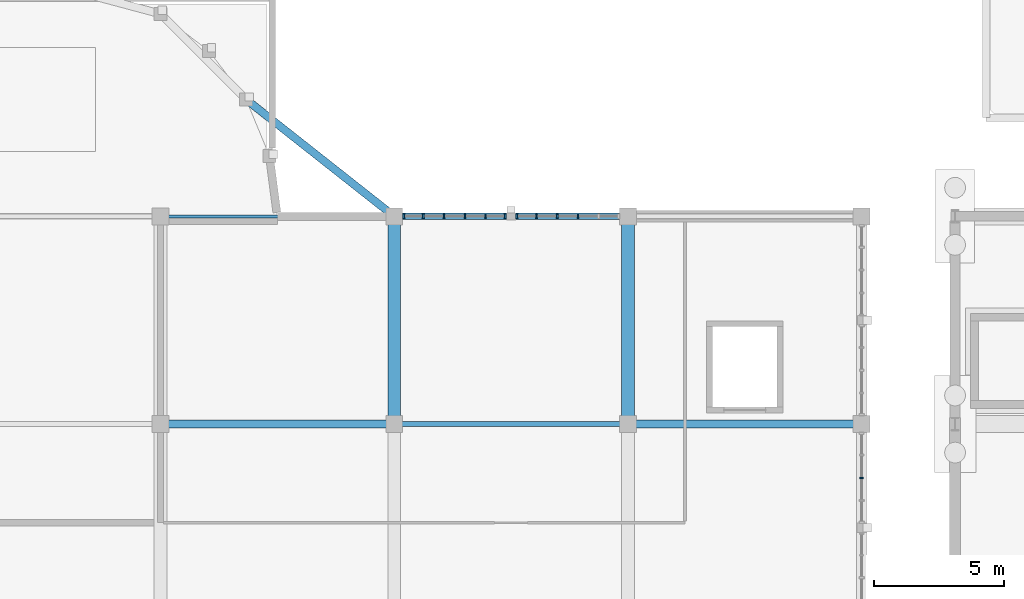
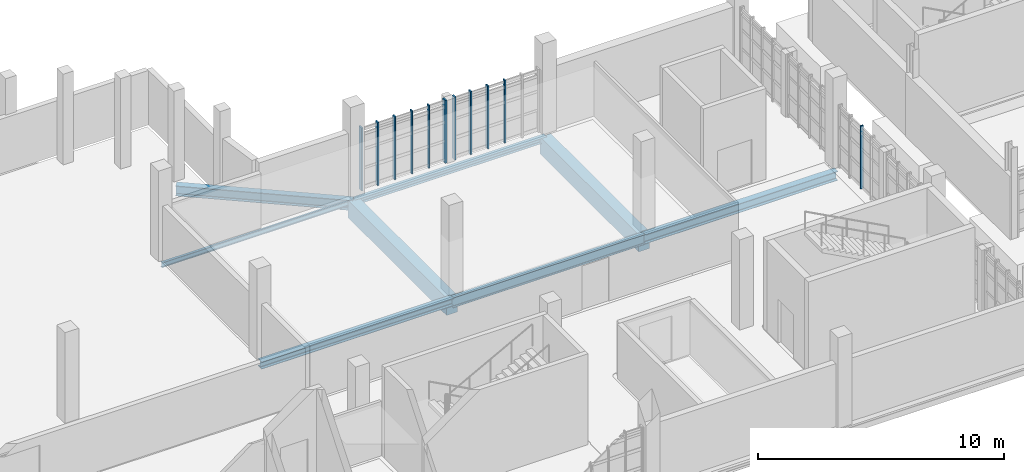
# One storey, part 31 of 125: 11 members, 8 beams, 3 elements without a shape of their own.
"""IFC4 building model written with IfcOpenShell, lengths in metres."""

from ifc_helpers import new_model, si_unit, direction, frame, origin, origin_2d, place, context, subcontext, project, spatial, rectangle, i_section, extrude, material, material_profile, profile_set, type_object, element, aggregate, save


model = new_model("IFC4")

# Units and contexts
model_context = context("Model", 3, precision=1e-05, world=origin(), true_north=direction((0.0, 1.0)))
body_context = subcontext(model_context, "Body", "Model", "MODEL_VIEW")
ifc_project = project(units=[si_unit("LENGTHUNIT", "METRE"), si_unit("AREAUNIT", "SQUARE_METRE"), si_unit("VOLUMEUNIT", "CUBIC_METRE"), si_unit("PLANEANGLEUNIT", "RADIAN"), si_unit("MASSUNIT", "GRAM", prefix="KILO")], contexts=[model_context])

# Site, building, storey
site_placement = place(None, origin())
site = spatial("IfcSite", under=ifc_project, at=site_placement, CompositionType="ELEMENT")
building_placement = place(site_placement, origin())
building = spatial("IfcBuilding", under=site, at=building_placement, Name="Serraforn Aerial Cableway Station", CompositionType="ELEMENT")
storey_placement = place(building_placement, frame((0.0, 0.0, 4.5)))
storey = spatial("IfcBuildingStorey", under=building, at=storey_placement, Name="L01", CompositionType="ELEMENT", Elevation=4.5)

# Beams
ifc_material_1 = material(Name="Concrete C35/45", Category="concrete")
ifc_material_profile_1 = material_profile(ifc_material_1, rectangle(XDim=0.5, YDim=0.85009765625, at=origin_2d()), Name="RC 500x850")
ifc_profile_set_1 = profile_set([ifc_material_profile_1], Name="Concrete C35/45")
beam_type_1 = type_object("IfcBeamType", Name="BM-RC-500x850", PredefinedType="USERDEFINED", material=ifc_profile_set_1)
for number, where, z_axis, x_axis, name in (
    (1, (72.60009765625, 34.0, -0.7451171875), (0.0, 1.0, 0.0), (-1.0, 0.0, 0.0), "Grid Girder Y CV L01 X6-3"),
    (2, (81.60009765625, 34.0, -0.7451171875), (0.0, 1.0, 0.0), (-1.0, 0.0, 0.0), "Grid Girder Y CV L01 X7-3"),
):
    element("IfcBeam", number, at=place(storey_placement, frame(where, z_axis=z_axis, x_axis=x_axis)), inside=storey, type_object=beam_type_1, Name=name, ObjectType="GIRDER", PredefinedType="USERDEFINED", context=body_context, shape_type="SweptSolid", body=[
        extrude(rectangle(XDim=0.5, YDim=0.85009765625, at=origin_2d()), origin(), (0.0, 0.0, 1.0), 8.0),
    ])
ifc_material_2 = material(Name="Steel S355JR", Category="steel")
ifc_material_profile_2 = material_profile(ifc_material_2, i_section(OverallWidth=0.300048828125, OverallDepth=0.449951171875, WebThickness=0.011474609375, FlangeThickness=0.02099609375, FilletRadius=0.027099609375, at=origin_2d()), Name="HEA 450")
ifc_profile_set_2 = profile_set([ifc_material_profile_2], Name="Steel S355JR")
beam_type_2 = type_object("IfcBeamType", Name="BM-ST-HEA450", PredefinedType="USERDEFINED", material=ifc_profile_set_2)
beam_1_placement = place(storey_placement, frame((81.60009765625, 34.0, -0.544921875), z_axis=(1.0, 0.0, 0.0), x_axis=(0.0, 1.0, 0.0)))
element("IfcBeam", 3, at=beam_1_placement, inside=storey, type_object=beam_type_2, Name="Grid Girder X CV L01 Y3-7", ObjectType="GIRDER", PredefinedType="USERDEFINED", context=body_context, shape_type="SweptSolid", body=[
    extrude(i_section(OverallWidth=0.300048828125, OverallDepth=0.449951171875, WebThickness=0.011474609375, FlangeThickness=0.02099609375, FilletRadius=0.027099609375, at=origin_2d()), origin(), (0.0, 0.0, 1.0), 9.0),
])
ifc_material_3 = material(Name="Steel S355J2", Category="steel")
ifc_material_profile_3 = material_profile(ifc_material_3, i_section(OverallWidth=0.300048828125, OverallDepth=0.5, WebThickness=0.011962890625, FlangeThickness=0.02294921875, FilletRadius=0.027099609375, at=origin_2d()), Name="HEA 500")
ifc_profile_set_3 = profile_set([ifc_material_profile_3], Name="Steel S355J2")
beam_type_3 = type_object("IfcBeamType", Name="BM-ST-HEA500", PredefinedType="USERDEFINED", material=ifc_profile_set_3)
beam_2_placement = place(storey_placement, frame((66.894287109375, 46.5, -0.56494140625), z_axis=(0.785189683878, -0.619255327253, 0.0), x_axis=(0.619255327253, 0.785189683878, 0.0)))
element("IfcBeam", 4, at=beam_2_placement, inside=storey, type_object=beam_type_3, Name="Apse Ring Girder L01-6", ObjectType="GIRDER", PredefinedType="USERDEFINED", context=body_context, shape_type="SweptSolid", body=[
    extrude(i_section(OverallWidth=0.300048828125, OverallDepth=0.5, WebThickness=0.011962890625, FlangeThickness=0.02294921875, FilletRadius=0.027099609375, at=origin_2d()), origin(), (0.0, 0.0, 1.0), 7.266845703125),
])
ifc_material_profile_4 = material_profile(ifc_material_3, i_section(OverallWidth=0.260009765625, OverallDepth=0.260009765625, WebThickness=0.010009765625, FlangeThickness=0.017578125, FilletRadius=0.02392578125, at=origin_2d()), Name="HEB 260")
ifc_profile_set_4 = profile_set([ifc_material_profile_4], Name="Steel S355J2")
beam_type_4 = type_object("IfcBeamType", Name="BM-ST-HEB260", PredefinedType="BEAM", material=ifc_profile_set_4)
beam_3_placement = place(storey_placement, frame((72.60009765625, 42.0, -0.449951171875), z_axis=(1.0, 0.0, 0.0), x_axis=(0.0, 1.0, 0.0)))
element("IfcBeam", 5, at=beam_3_placement, inside=storey, type_object=beam_type_4, Name="Grid Girder X CV L01 Y4-6", PredefinedType="BEAM", context=body_context, shape_type="SweptSolid", body=[
    extrude(i_section(OverallWidth=0.260009765625, OverallDepth=0.260009765625, WebThickness=0.010009765625, FlangeThickness=0.017578125, FilletRadius=0.02392578125, at=origin_2d()), origin(), (0.0, 0.0, 1.0), 9.0),
])
ifc_material_profile_5 = material_profile(ifc_material_3, i_section(OverallWidth=0.300048828125, OverallDepth=0.360107421875, WebThickness=0.012451171875, FlangeThickness=0.0224609375, FilletRadius=0.027099609375, at=origin_2d()), Name="HEB 360")
ifc_profile_set_5 = profile_set([ifc_material_profile_5], Name="Steel S355J2")
beam_type_5 = type_object("IfcBeamType", Name="BM-ST-HEB360", PredefinedType="USERDEFINED", material=ifc_profile_set_5)
beam_4_placement = place(storey_placement, frame((63.60009765625, 34.0, -0.5), z_axis=(1.0, 0.0, 0.0), x_axis=(0.0, 1.0, 0.0)))
element("IfcBeam", 6, at=beam_4_placement, inside=storey, type_object=beam_type_5, Name="Grid Girder X CV L01 Y3-5", ObjectType="GIRDER", PredefinedType="USERDEFINED", context=body_context, shape_type="SweptSolid", body=[
    extrude(i_section(OverallWidth=0.300048828125, OverallDepth=0.360107421875, WebThickness=0.012451171875, FlangeThickness=0.0224609375, FilletRadius=0.027099609375, at=origin_2d()), origin(), (0.0, 0.0, 1.0), 9.0),
])
ifc_material_profile_6 = material_profile(ifc_material_2, i_section(OverallWidth=0.1201171875, OverallDepth=0.239990234375, WebThickness=0.006103515625, FlangeThickness=0.009765625, FilletRadius=0.014892578125, at=origin_2d()), Name="IPE 240")
ifc_profile_set_6 = profile_set([ifc_material_profile_6], Name="Steel S355JR")
beam_type_6 = type_object("IfcBeamType", Name="BM-ST-IPE240", PredefinedType="SPANDREL", material=ifc_profile_set_6)
beam_5_placement = place(storey_placement, frame((63.60009765625, 42.0, -0.43994140625), z_axis=(1.0, 0.0, 0.0), x_axis=(0.0, 1.0, 0.0)))
element("IfcBeam", 7, at=beam_5_placement, inside=storey, type_object=beam_type_6, Name="Grid Girder X CV L01 Y4-5", PredefinedType="SPANDREL", context=body_context, shape_type="SweptSolid", body=[
    extrude(i_section(OverallWidth=0.1201171875, OverallDepth=0.239990234375, WebThickness=0.006103515625, FlangeThickness=0.009765625, FilletRadius=0.014892578125, at=origin_2d()), origin(), (0.0, 0.0, 1.0), 9.0),
])
ifc_material_profile_7 = material_profile(ifc_material_2, i_section(OverallWidth=0.199951171875, OverallDepth=0.5, WebThickness=0.01025390625, FlangeThickness=0.01611328125, FilletRadius=0.02099609375, at=origin_2d()), Name="IPE 500")
ifc_profile_set_7 = profile_set([ifc_material_profile_7], Name="Steel S355JR")
beam_type_7 = type_object("IfcBeamType", Name="BM-ST-IPE500", PredefinedType="USERDEFINED", material=ifc_profile_set_7)
beam_6_placement = place(storey_placement, frame((72.60009765625, 34.0, -0.570068359375), z_axis=(1.0, 0.0, 0.0), x_axis=(0.0, 1.0, 0.0)))
element("IfcBeam", 8, at=beam_6_placement, inside=storey, type_object=beam_type_7, Name="Grid Girder X CV L01 Y3-6", ObjectType="GIRDER", PredefinedType="USERDEFINED", context=body_context, shape_type="SweptSolid", body=[
    extrude(i_section(OverallWidth=0.199951171875, OverallDepth=0.5, WebThickness=0.01025390625, FlangeThickness=0.01611328125, FilletRadius=0.02099609375, at=origin_2d()), origin(), (0.0, 0.0, 1.0), 9.0),
])

# Curtain wall, member
ifc_material_4 = material(Name="Anodised bronze unitised curtain wall")
curtain_wall_type_1 = type_object("IfcCurtainWallType", Name="CW-SYS-27", PredefinedType="USERDEFINED", material=ifc_material_4)
curtain_wall_1_placement = place(storey_placement, origin())
curtain_wall_1 = element("IfcCurtainWall", 9, at=curtain_wall_1_placement, inside=storey, type_object=curtain_wall_type_1, Name="Unitised Curtain Wall CW-CV-L01-N6A", ObjectType="UNITISED CURTAIN WALL", PredefinedType="USERDEFINED")
ifc_material_5 = material(Name="Anodised bronze extruded aluminium", Category="aluminium")
ifc_material_profile_8 = material_profile(ifc_material_5, rectangle(XDim=0.054931640625, YDim=0.139892578125, at=origin_2d()), Name="CW MULLION 55x140")
ifc_profile_set_8 = profile_set([ifc_material_profile_8], Name="Anodised bronze extruded aluminium")
member_type_1 = type_object("IfcMemberType", Name="CW-MUL-1", PredefinedType="MULLION", material=ifc_profile_set_8)
member_1_placement = place(storey_placement, frame((79.67822265625, 42.0, 0.0), z_axis=(0.0, 0.0, 1.0), x_axis=(-1.0, 0.0, 0.0)))
member_1 = element("IfcMember", 10, at=member_1_placement, type_object=member_type_1, Name="Curtain Wall Mullion CW-CV-L01-N6A-M3", PredefinedType="MULLION", context=body_context, shape_type="SweptSolid", body=[
    extrude(rectangle(XDim=0.054931640625, YDim=0.139892578125, at=origin_2d()), origin(), (0.0, 0.0, 1.0), 3.1201171875),
])

curtain_wall_type_2 = type_object("IfcCurtainWallType", Name="CW-SYS-28", PredefinedType="USERDEFINED", material=ifc_material_4)
curtain_wall_2_placement = place(storey_placement, origin())
curtain_wall_2 = element("IfcCurtainWall", 11, at=curtain_wall_2_placement, inside=storey, type_object=curtain_wall_type_2, Name="Unitised Curtain Wall CW-CV-L01-N6B", ObjectType="UNITISED CURTAIN WALL", PredefinedType="USERDEFINED")
member_2_placement = place(storey_placement, frame((76.12060546875, 42.0, 0.0), z_axis=(0.0, 0.0, 1.0), x_axis=(-1.0, 0.0, 0.0)))
member_2 = element("IfcMember", 12, at=member_2_placement, type_object=member_type_1, Name="Curtain Wall Mullion CW-CV-L01-N6B-M2", PredefinedType="MULLION", context=body_context, shape_type="SweptSolid", body=[
    extrude(rectangle(XDim=0.054931640625, YDim=0.139892578125, at=origin_2d()), origin(), (0.0, 0.0, 1.0), 3.1201171875),
])

curtain_wall_type_3 = type_object("IfcCurtainWallType", Name="CW-SYS-4", PredefinedType="USERDEFINED", material=ifc_material_4)
curtain_wall_3_placement = place(storey_placement, origin())
curtain_wall_3 = element("IfcCurtainWall", 13, at=curtain_wall_3_placement, inside=storey, type_object=curtain_wall_type_3, Name="Unitised Curtain Wall CW-CV-L01-E2B", ObjectType="UNITISED CURTAIN WALL", PredefinedType="USERDEFINED")
member_3_placement = place(storey_placement, frame((90.60009765625, 31.928466796875, 0.0), z_axis=(0.0, 0.0, 1.0), x_axis=(0.0, 1.0, 0.0)))
member_3 = element("IfcMember", 14, at=member_3_placement, type_object=member_type_1, Name="Curtain Wall Mullion CW-CV-L01-E2B-M3", PredefinedType="MULLION", context=body_context, shape_type="SweptSolid", body=[
    extrude(rectangle(XDim=0.054931640625, YDim=0.139892578125, at=origin_2d()), origin(), (0.0, 0.0, 1.0), 3.1201171875),
])
aggregate(curtain_wall_3, [member_3])

# Member
ifc_material_profile_9 = material_profile(ifc_material_5, rectangle(XDim=0.06005859375, YDim=0.159912109375, at=origin_2d()), Name="CW MULLION 60x160")
ifc_profile_set_9 = profile_set([ifc_material_profile_9], Name="Anodised bronze extruded aluminium")
member_type_2 = type_object("IfcMemberType", Name="CW-MUL-2", PredefinedType="MULLION", material=ifc_profile_set_9)
member_4_placement = place(storey_placement, frame((78.87890625, 42.0, 0.0), z_axis=(0.0, 0.0, 1.0), x_axis=(-1.0, 0.0, 0.0)))
member_4 = element("IfcMember", 15, at=member_4_placement, type_object=member_type_2, Name="Curtain Wall Mullion CW-CV-L01-N6A-M4", PredefinedType="MULLION", context=body_context, shape_type="SweptSolid", body=[
    extrude(rectangle(XDim=0.06005859375, YDim=0.159912109375, at=origin_2d()), origin(), (0.0, 0.0, 1.0), 3.1201171875),
])

member_5_placement = place(storey_placement, frame((75.3212890625, 42.0, 0.0), z_axis=(0.0, 0.0, 1.0), x_axis=(-1.0, 0.0, 0.0)))
member_5 = element("IfcMember", 16, at=member_5_placement, type_object=member_type_2, Name="Curtain Wall Mullion CW-CV-L01-N6B-M3", PredefinedType="MULLION", context=body_context, shape_type="SweptSolid", body=[
    extrude(rectangle(XDim=0.06005859375, YDim=0.159912109375, at=origin_2d()), origin(), (0.0, 0.0, 1.0), 3.1201171875),
])

ifc_material_profile_10 = material_profile(ifc_material_5, rectangle(XDim=0.06494140625, YDim=0.175048828125, at=origin_2d()), Name="CW MULLION 65x175")
ifc_profile_set_10 = profile_set([ifc_material_profile_10], Name="Anodised bronze extruded aluminium")
member_type_3 = type_object("IfcMemberType", Name="CW-MUL-3", PredefinedType="MULLION", material=ifc_profile_set_10)
member_6_placement = place(storey_placement, frame((78.079345703125, 42.0, 0.0), z_axis=(0.0, 0.0, 1.0), x_axis=(-1.0, 0.0, 0.0)))
member_6 = element("IfcMember", 17, at=member_6_placement, type_object=member_type_3, Name="Curtain Wall Mullion CW-CV-L01-N6A-M5", PredefinedType="MULLION", context=body_context, shape_type="SweptSolid", body=[
    extrude(rectangle(XDim=0.06494140625, YDim=0.175048828125, at=origin_2d()), origin(), (0.0, 0.0, 1.0), 3.1201171875),
])

member_7_placement = place(storey_placement, frame((74.521728515625, 42.0, 0.0), z_axis=(0.0, 0.0, 1.0), x_axis=(-1.0, 0.0, 0.0)))
member_7 = element("IfcMember", 18, at=member_7_placement, type_object=member_type_3, Name="Curtain Wall Mullion CW-CV-L01-N6B-M4", PredefinedType="MULLION", context=body_context, shape_type="SweptSolid", body=[
    extrude(rectangle(XDim=0.06494140625, YDim=0.175048828125, at=origin_2d()), origin(), (0.0, 0.0, 1.0), 3.1201171875),
])

ifc_material_profile_11 = material_profile(ifc_material_5, rectangle(XDim=0.070068359375, YDim=0.18994140625, at=origin_2d()), Name="CW MULLION 70x190")
ifc_profile_set_11 = profile_set([ifc_material_profile_11], Name="Anodised bronze extruded aluminium")
member_type_4 = type_object("IfcMemberType", Name="CW-MUL-4", PredefinedType="MULLION", material=ifc_profile_set_11)
member_8_placement = place(storey_placement, frame((77.31494140625, 42.0, 0.0), z_axis=(0.0, 0.0, 1.0), x_axis=(-1.0, 0.0, 0.0)))
member_8 = element("IfcMember", 19, at=member_8_placement, type_object=member_type_4, Name="Curtain Wall Mullion CW-CV-L01-N6A-M6", PredefinedType="MULLION", context=body_context, shape_type="SweptSolid", body=[
    extrude(rectangle(XDim=0.070068359375, YDim=0.18994140625, at=origin_2d()), origin(), (0.0, 0.0, 1.0), 3.1201171875),
])

aggregate(curtain_wall_1, [member_1, member_4, member_6, member_8])

member_9_placement = place(storey_placement, frame((73.722412109375, 42.0, 0.0), z_axis=(0.0, 0.0, 1.0), x_axis=(-1.0, 0.0, 0.0)))
member_9 = element("IfcMember", 20, at=member_9_placement, type_object=member_type_4, Name="Curtain Wall Mullion CW-CV-L01-N6B-M5", PredefinedType="MULLION", context=body_context, shape_type="SweptSolid", body=[
    extrude(rectangle(XDim=0.070068359375, YDim=0.18994140625, at=origin_2d()), origin(), (0.0, 0.0, 1.0), 3.1201171875),
])

ifc_material_profile_12 = material_profile(ifc_material_5, rectangle(XDim=0.074951171875, YDim=0.199951171875, at=origin_2d()), Name="CW MULLION 75x200")
ifc_profile_set_12 = profile_set([ifc_material_profile_12], Name="Anodised bronze extruded aluminium")
member_type_5 = type_object("IfcMemberType", Name="CW-MUL-5", PredefinedType="MULLION", material=ifc_profile_set_12)
member_10_placement = place(storey_placement, frame((76.882568359375, 42.0, 0.0), z_axis=(0.0, 0.0, 1.0), x_axis=(-1.0, 0.0, 0.0)))
member_10 = element("IfcMember", 21, at=member_10_placement, type_object=member_type_5, Name="Curtain Wall Mullion CW-CV-L01-N6B-M1", PredefinedType="MULLION", context=body_context, shape_type="SweptSolid", body=[
    extrude(rectangle(XDim=0.074951171875, YDim=0.199951171875, at=origin_2d()), origin(), (0.0, 0.0, 1.0), 3.1201171875),
])

member_11_placement = place(storey_placement, frame((72.96044921875, 42.0, 0.0), z_axis=(0.0, 0.0, 1.0), x_axis=(-1.0, 0.0, 0.0)))
member_11 = element("IfcMember", 22, at=member_11_placement, type_object=member_type_5, Name="Curtain Wall Mullion CW-CV-L01-N6B-M6", PredefinedType="MULLION", context=body_context, shape_type="SweptSolid", body=[
    extrude(rectangle(XDim=0.074951171875, YDim=0.199951171875, at=origin_2d()), origin(), (0.0, 0.0, 1.0), 3.1201171875),
])

aggregate(curtain_wall_2, [member_10, member_2, member_5, member_7, member_9, member_11])

save(model, "model.ifc")
